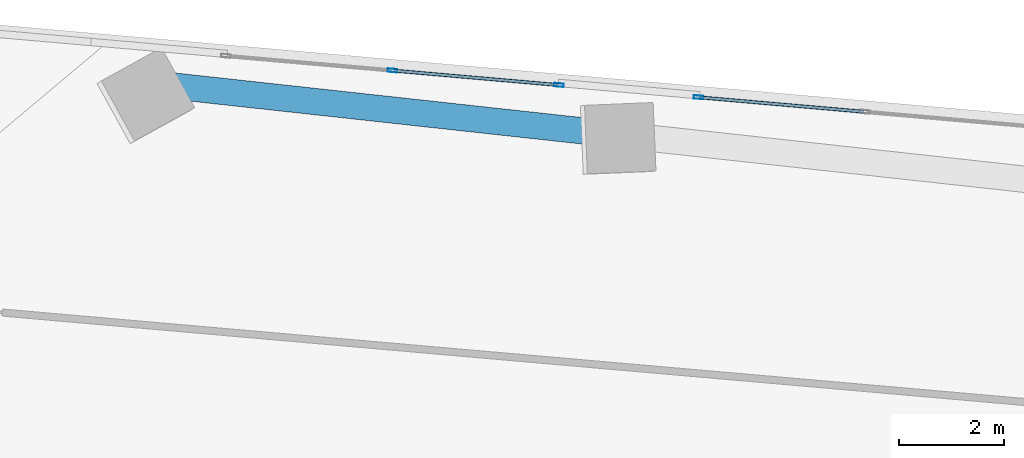
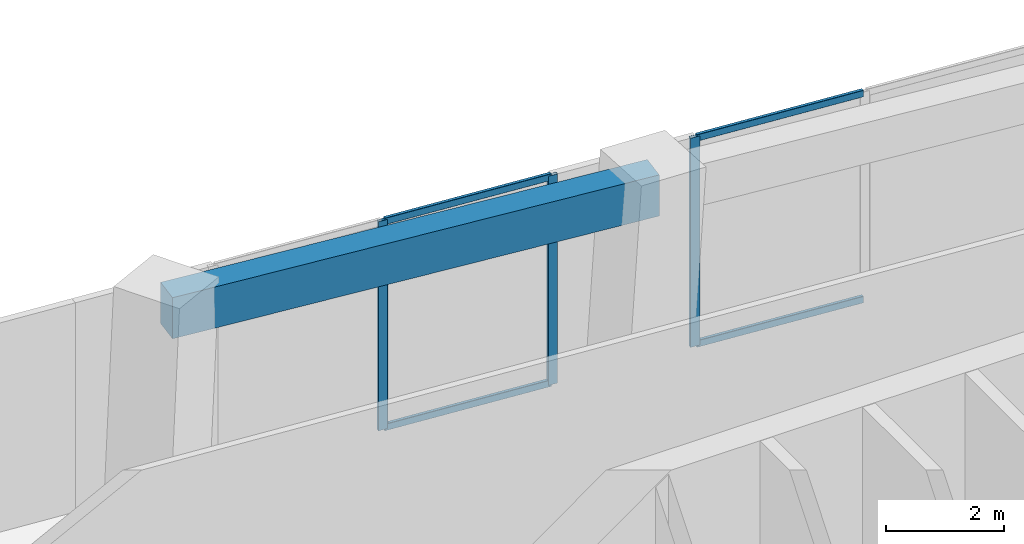
# One storey, part 15 of 24: 7 members, 1 beam, 2 elements without a shape of their own.
"""IFC4 building model written with IfcOpenShell, lengths in metres."""

from ifc_helpers import new_model, si_unit, direction, frame, origin, origin_2d, place, context, subcontext, project, spatial, rectangle, hollow_rectangle, extrude, source, transform, mapped, material, material_profile, profile_set, type_object, element, aggregate, save


model = new_model("IFC4")

# Units and contexts
model_context = context("Model", 3, precision=1e-05, world=origin(), true_north=direction((0.0, 1.0)))
body_context = subcontext(model_context, "Body", "Model", "MODEL_VIEW")
ifc_project = project(units=[si_unit("LENGTHUNIT", "METRE"), si_unit("AREAUNIT", "SQUARE_METRE"), si_unit("VOLUMEUNIT", "CUBIC_METRE"), si_unit("PLANEANGLEUNIT", "RADIAN"), si_unit("MASSUNIT", "GRAM", prefix="KILO")], contexts=[model_context])

# Site, building, storey
site_placement = place(None, origin())
site = spatial("IfcSite", under=ifc_project, at=site_placement, CompositionType="ELEMENT")
building_placement = place(site_placement, origin())
building = spatial("IfcBuilding", under=site, at=building_placement, Name="Torre Montelarca", CompositionType="ELEMENT")
storey_placement = place(building_placement, frame((0.0, 0.0, 52.0)))
storey = spatial("IfcBuildingStorey", under=building, at=storey_placement, Name="L11", CompositionType="ELEMENT", Elevation=52.0)

# Beam
ifc_material_1 = material(Name="Concrete C55/67", Category="concrete")
ifc_material_profile_1 = material_profile(ifc_material_1, rectangle(XDim=0.5, YDim=0.85009765625, at=origin_2d()), Name="RCB500X850", Category="concrete")
ifc_profile_set_1 = profile_set([ifc_material_profile_1], Name="Concrete C55/67")
beam_type = type_object("IfcBeamType", Name="BM-SP-RC850-EXT", PredefinedType="SPANDREL", material=ifc_profile_set_1)
shared_shape_1 = source(origin(), body_context, "Body", "SweptSolid", [
    extrude(rectangle(XDim=0.5, YDim=0.85009765625, at=origin_2d()), origin(), (0.0, 0.0, 1.0), 9.0),
])
beam_placement = place(storey_placement, frame((10.7236328125, 48.4208984375, 4.135009765625), z_axis=(0.994054224992, -0.108886168894, 0.0), x_axis=(0.108886168894, 0.994054224992, 0.0)))
element("IfcBeam", 1, at=beam_placement, inside=storey, type_object=beam_type, Name="L11 Grid Girder X 9.0-18.0 at Y=47.1", PredefinedType="SPANDREL", context=body_context, shape_type="MappedRepresentation", body=[
    mapped(shared_shape_1, transform((0.0, 0.0, 0.0), scale=1.0)),
])

# Curtain wall, member
ifc_material_2 = material(Name="Insulated low-E laminated glass", Category="glass")
curtain_wall_type = type_object("IfcCurtainWallType", Name="CW-SYS-Z1", PredefinedType="USERDEFINED", material=ifc_material_2)
curtain_wall_1_placement = place(storey_placement, origin())
curtain_wall_1 = element("IfcCurtainWall", 2, at=curtain_wall_1_placement, inside=storey, type_object=curtain_wall_type, Name="L11 Curtain Wall Run CW-T3-L11-E08-B3", ObjectType="UNITISED GLAZING", PredefinedType="USERDEFINED")
ifc_material_3 = material(Name="Anodised aluminium AA 6063-T6", Category="aluminium")
ifc_material_profile_2 = material_profile(ifc_material_3, hollow_rectangle(XDim=0.06494140625, YDim=0.179931640625, WallThickness=0.00390625, InnerFilletRadius=0.00390625, OuterFilletRadius=0.008056640625, at=origin_2d()), Name="ALU65X180X4", Category="aluminium")
ifc_profile_set_2 = profile_set([ifc_material_profile_2], Name="Anodised aluminium AA 6063-T6")
member_type_1 = type_object("IfcMemberType", Name="CWM-ALU180", PredefinedType="MULLION", material=ifc_profile_set_2)
shared_shape_2 = source(origin(), body_context, "Body", "SweptSolid", [
    extrude(hollow_rectangle(XDim=0.06494140625, YDim=0.179931640625, WallThickness=0.00390625, InnerFilletRadius=0.00390625, OuterFilletRadius=0.008056640625, at=origin_2d()), origin(), (0.0, 0.0, 1.0), 4.320068359375),
])
member_1_placement = place(storey_placement, frame((20.90185546875, 48.183837890625, 0.0), z_axis=(0.0, 0.0, 1.0), x_axis=(-0.087161530525, -0.99619419171, 0.0)))
member_1 = element("IfcMember", 3, at=member_1_placement, type_object=member_type_1, Name="CW mullion 3", PredefinedType="MULLION", context=body_context, shape_type="MappedRepresentation", body=[
    mapped(shared_shape_2, transform((0.0, 0.0, 0.0), scale=1.0)),
])

# Curtain wall, members
curtain_wall_2_placement = place(storey_placement, origin())
curtain_wall_2 = element("IfcCurtainWall", 4, at=curtain_wall_2_placement, inside=storey, type_object=curtain_wall_type, Name="L11 Curtain Wall Run CW-T3-L11-E08-B4", ObjectType="UNITISED GLAZING", PredefinedType="USERDEFINED")
member_2_placement = place(storey_placement, frame((18.255859375, 48.415283203125, 0.0), z_axis=(0.0, 0.0, 1.0), x_axis=(-0.087160366874, -0.996194293522, 0.0)))
member_2 = element("IfcMember", 5, at=member_2_placement, type_object=member_type_1, Name="CW mullion 1", PredefinedType="MULLION", context=body_context, shape_type="MappedRepresentation", body=[
    mapped(shared_shape_2, transform((0.0, 0.0, 0.0), scale=1.0)),
])
member_3_placement = place(storey_placement, frame((15.09716796875, 48.691650390625, 0.0), z_axis=(0.0, 0.0, 1.0), x_axis=(-0.087160366874, -0.996194293522, 0.0)))
member_3 = element("IfcMember", 6, at=member_3_placement, type_object=member_type_1, Name="CW mullion 2", PredefinedType="MULLION", context=body_context, shape_type="MappedRepresentation", body=[
    mapped(shared_shape_2, transform((0.0, 0.0, 0.0), scale=1.0)),
])

# Member
ifc_material_profile_3 = material_profile(ifc_material_3, hollow_rectangle(XDim=0.06494140625, YDim=0.139892578125, WallThickness=0.00390625, InnerFilletRadius=0.00390625, OuterFilletRadius=0.008056640625, at=origin_2d()), Name="ALU65X140X4", Category="aluminium")
ifc_profile_set_3 = profile_set([ifc_material_profile_3], Name="Anodised aluminium AA 6063-T6")
member_type_2 = type_object("IfcMemberType", Name="CWT-ALU140", PredefinedType="USERDEFINED", material=ifc_profile_set_3)
shared_shape_3 = source(origin(), body_context, "Body", "SweptSolid", [
    extrude(hollow_rectangle(XDim=0.06494140625, YDim=0.139892578125, WallThickness=0.00390625, InnerFilletRadius=0.00390625, OuterFilletRadius=0.008056640625, at=origin_2d()), origin(), (0.0, 0.0, 1.0), 3.10693359375),
])
member_4_placement = place(storey_placement, frame((24.029541015625, 47.91015625, 0.032470703125), z_axis=(-0.996195934722, 0.087141606847, 0.0), x_axis=(-0.087141606847, -0.996195934722, 0.0)))
member_4 = element("IfcMember", 7, at=member_4_placement, type_object=member_type_2, Name="CW transom 2.1", ObjectType="TRANSOM", PredefinedType="USERDEFINED", context=body_context, shape_type="MappedRepresentation", body=[
    mapped(shared_shape_3, transform((0.0, 0.0, 0.0), scale=1.0)),
])

member_5_placement = place(storey_placement, frame((24.029541015625, 47.91015625, 4.28759765625), z_axis=(-0.996195934722, 0.087141606847, 0.0), x_axis=(-0.087141606847, -0.996195934722, 0.0)))
member_5 = element("IfcMember", 8, at=member_5_placement, type_object=member_type_2, Name="CW transom 2.2", ObjectType="TRANSOM", PredefinedType="USERDEFINED", context=body_context, shape_type="MappedRepresentation", body=[
    mapped(shared_shape_3, transform((0.0, 0.0, 0.0), scale=1.0)),
])

aggregate(curtain_wall_1, [member_1, member_4, member_5])

shared_shape_4 = source(origin(), body_context, "Body", "SweptSolid", [
    extrude(hollow_rectangle(XDim=0.06494140625, YDim=0.139892578125, WallThickness=0.00390625, InnerFilletRadius=0.00390625, OuterFilletRadius=0.008056640625, at=origin_2d()), origin(), (0.0, 0.0, 1.0), 3.105712890625),
])
member_6_placement = place(storey_placement, frame((18.223388671875, 48.41796875, 0.032470703125), z_axis=(-0.996192949544, 0.08717572643, 0.0), x_axis=(-0.08717572643, -0.996192949544, 0.0)))
member_6 = element("IfcMember", 9, at=member_6_placement, type_object=member_type_2, Name="CW transom 1.1", ObjectType="TRANSOM", PredefinedType="USERDEFINED", context=body_context, shape_type="MappedRepresentation", body=[
    mapped(shared_shape_4, transform((0.0, 0.0, 0.0), scale=1.0)),
])

member_7_placement = place(storey_placement, frame((18.223388671875, 48.41796875, 4.28759765625), z_axis=(-0.996192949544, 0.08717572643, 0.0), x_axis=(-0.08717572643, -0.996192949544, 0.0)))
member_7 = element("IfcMember", 10, at=member_7_placement, type_object=member_type_2, Name="CW transom 1.2", ObjectType="TRANSOM", PredefinedType="USERDEFINED", context=body_context, shape_type="MappedRepresentation", body=[
    mapped(shared_shape_4, transform((0.0, 0.0, 0.0), scale=1.0)),
])

aggregate(curtain_wall_2, [member_2, member_3, member_6, member_7])

save(model, "model.ifc")
